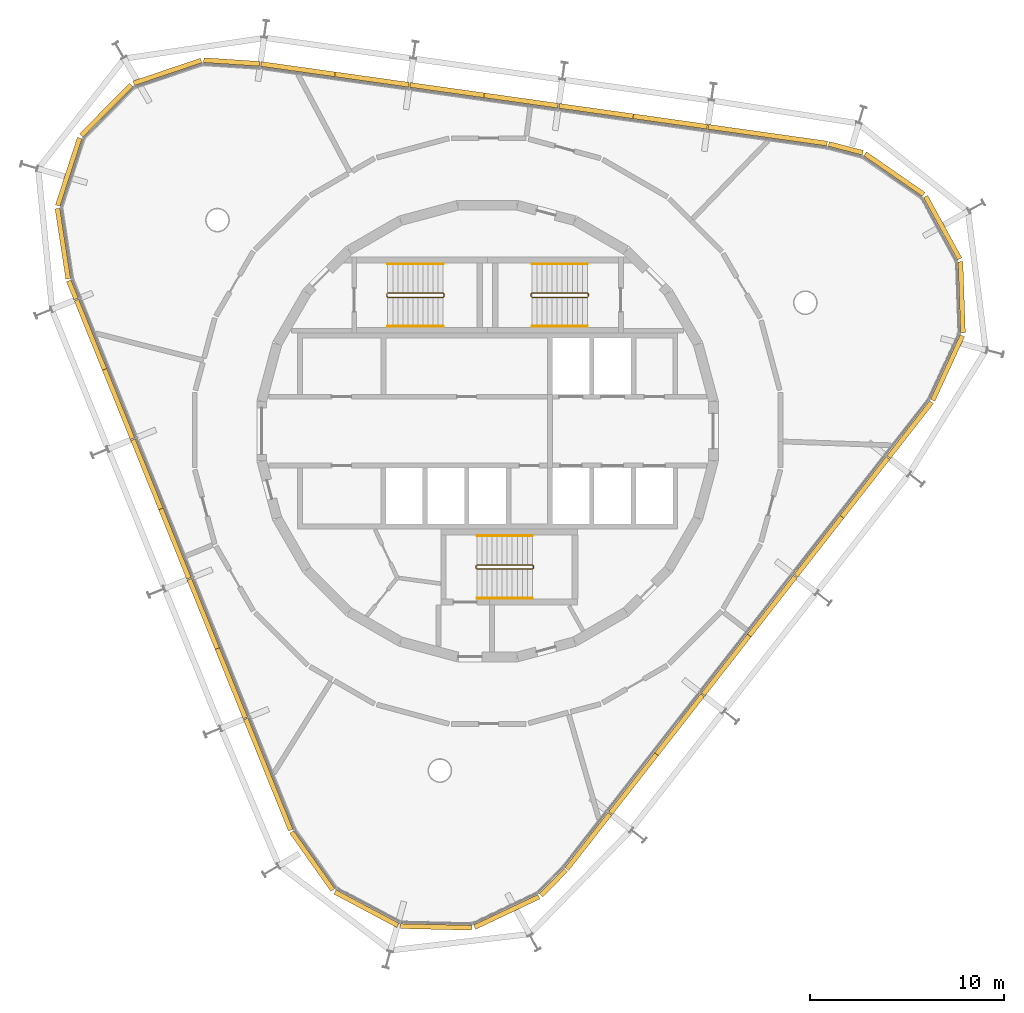
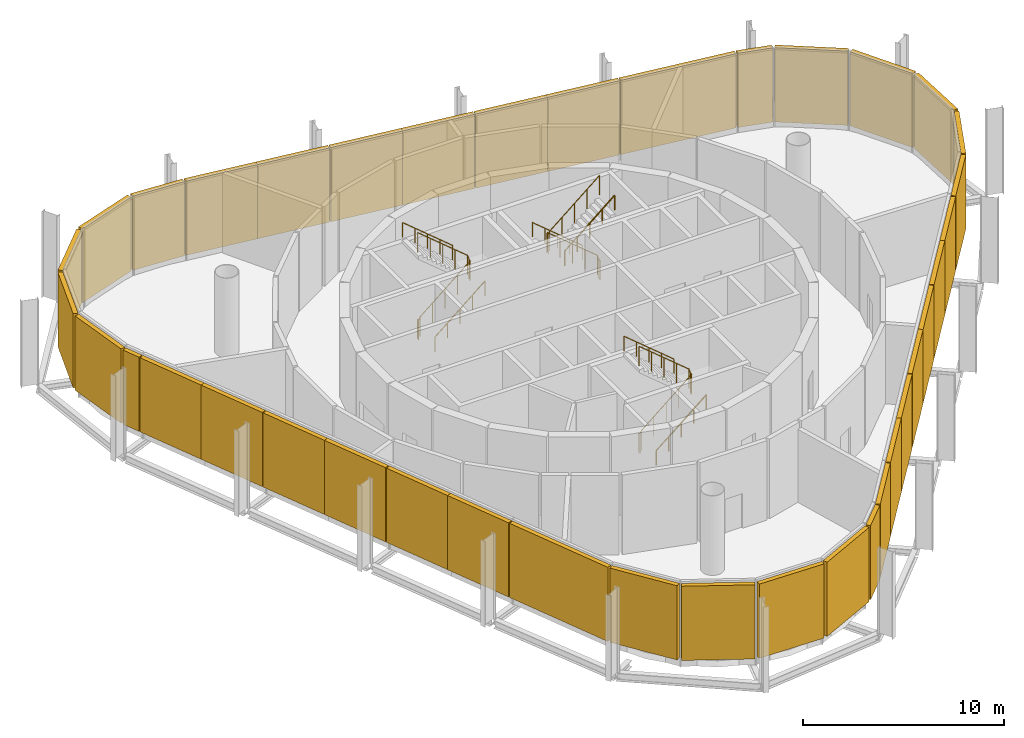
# One storey, part 12 of 12: 38 shading devices, 9 railings.
"""IFC4 building model written with IfcOpenShell, lengths in metres."""

from ifc_helpers import new_model, si_unit, direction, frame, origin, origin_2d, place, context, subcontext, project, spatial, rectangle, circle, extrude, material, type_object, element, save


model = new_model("IFC4")

# Units and contexts
model_context = context("Model", 3, precision=1e-05, world=origin(), true_north=direction((0.0, 1.0)))
body_context = subcontext(model_context, "Body", "Model", "MODEL_VIEW")
ifc_project = project(units=[si_unit("LENGTHUNIT", "METRE"), si_unit("AREAUNIT", "SQUARE_METRE"), si_unit("VOLUMEUNIT", "CUBIC_METRE"), si_unit("PLANEANGLEUNIT", "RADIAN"), si_unit("MASSUNIT", "GRAM", prefix="KILO")], contexts=[model_context])

# Site, building, storey
site_placement = place(None, origin())
site = spatial("IfcSite", under=ifc_project, at=site_placement, CompositionType="ELEMENT")
building_placement = place(site_placement, origin())
building = spatial("IfcBuilding", under=site, at=building_placement, Name="Spindle Arch Residences", CompositionType="ELEMENT")
storey_placement = place(building_placement, frame((0.0, 0.0, 361.0)))
storey = spatial("IfcBuildingStorey", under=building, at=storey_placement, Name="L93", CompositionType="ELEMENT", Elevation=361.0)

# Shading devices
ifc_material_1 = material(Name="Bronze anodised aluminium louvre blades", Category="aluminium")
shading_device_type = type_object("IfcShadingDeviceType", Name="Bronze louvre bank 250", PredefinedType="USERDEFINED", material=ifc_material_1)
shading_device_1_placement = place(storey_placement, frame((21.79150390625, 0.078857421875, 0.199951171875), z_axis=(0.0, 0.0, 1.0), x_axis=(0.615661475326, 0.788010753607, 0.0)))
element("IfcShadingDevice", 1, at=shading_device_1_placement, inside=storey, type_object=shading_device_type, Name="Crown louvre L93 00", ObjectType="LOUVRE", PredefinedType="USERDEFINED", context=body_context, shape_type="SweptSolid", body=[
    extrude(rectangle(XDim=3.60009765625, YDim=0.25, at=origin_2d()), origin(), (0.0, 0.0, 1.0), 4.5),
])
for number, where, z_axis, x_axis, name in (
    (2, (23.720703125, 3.255126953125, 0.199951171875), (0.0, 0.0, 1.0), (0.417338452362, 0.908751129947, 0.0), "Crown louvre L93 01"),
    (3, (24.451904296875, 6.9033203125, 0.199951171875), (0.0, 0.0, 1.0), (-0.034899497139, 0.999390827004, 0.0), "Crown louvre L93 02"),
    (4, (23.468017578125, 10.49169921875, 0.199951171875), (0.0, 0.0, 1.0), (-0.479713114021, 0.877425397533, 0.0), "Crown louvre L93 03"),
    (5, (20.978271484375, 13.2568359375, 0.199951171875), (0.0, 0.0, 1.0), (-0.822475094841, 0.568801123739, 0.0), "Crown louvre L93 04"),
):
    element("IfcShadingDevice", number, at=place(storey_placement, frame(where, z_axis=z_axis, x_axis=x_axis)), inside=storey, type_object=shading_device_type, Name=name, ObjectType="LOUVRE", PredefinedType="USERDEFINED", context=body_context, shape_type="SweptSolid", body=[
        extrude(rectangle(XDim=3.666748046875, YDim=0.25, at=origin_2d()), origin(), (0.0, 0.0, 1.0), 4.5),
    ])
shading_device_2_placement = place(storey_placement, frame((18.4736328125, 14.583984375, 0.199951171875), z_axis=(0.0, 0.0, 1.0), x_axis=(-0.967415218326, 0.25319517245, 0.0)))
element("IfcShadingDevice", 6, at=shading_device_2_placement, inside=storey, type_object=shading_device_type, Name="Crown louvre L93 05", ObjectType="LOUVRE", PredefinedType="USERDEFINED", context=body_context, shape_type="SweptSolid", body=[
    extrude(rectangle(XDim=1.816162109375, YDim=0.25, at=origin_2d()), origin(), (0.0, 0.0, 1.0), 4.5),
])
shading_device_3_placement = place(storey_placement, frame((14.44873046875, 15.260986328125, 0.199951171875), z_axis=(0.0, 0.0, 1.0), x_axis=(-0.990268068742, 0.13917310096, 0.0)))
element("IfcShadingDevice", 7, at=shading_device_3_placement, inside=storey, type_object=shading_device_type, Name="Crown louvre L93 06", ObjectType="LOUVRE", PredefinedType="USERDEFINED", context=body_context, shape_type="SweptSolid", body=[
    extrude(rectangle(XDim=6.188720703125, YDim=0.25, at=origin_2d()), origin(), (0.0, 0.0, 1.0), 4.5),
])
for number, where, z_axis, x_axis, name in (
    (8, (9.41748046875, 15.96826171875, 0.199951171875), (0.0, 0.0, 1.0), (-0.990268068742, 0.13917310096, 0.0), "Crown louvre L93 05A"),
    (9, (5.60205078125, 16.50439453125, 0.199951171875), (0.0, 0.0, 1.0), (-0.990268068742, 0.13917310096, 0.0), "Crown louvre L93 05B"),
    (10, (1.7275390625, 17.048828125, 0.199951171875), (0.0, 0.0, 1.0), (-0.990268068742, 0.13917310096, 0.0), "Crown louvre L93 06A"),
    (11, (-2.087890625, 17.585205078125, 0.199951171875), (0.0, 0.0, 1.0), (-0.990268068742, 0.13917310096, 0.0), "Crown louvre L93 06B"),
    (12, (-5.962646484375, 18.129638671875, 0.199951171875), (0.0, 0.0, 1.0), (-0.990268068742, 0.13917310096, 0.0), "Crown louvre L93 07A"),
    (13, (-9.77783203125, 18.666015625, 0.199951171875), (0.0, 0.0, 1.0), (-0.990268068742, 0.13917310096, 0.0), "Crown louvre L93 07B"),
):
    element("IfcShadingDevice", number, at=place(storey_placement, frame(where, z_axis=z_axis, x_axis=x_axis)), inside=storey, type_object=shading_device_type, Name=name, ObjectType="LOUVRE", PredefinedType="USERDEFINED", context=body_context, shape_type="SweptSolid", body=[
        extrude(rectangle(XDim=3.852783203125, YDim=0.25, at=origin_2d()), origin(), (0.0, 0.0, 1.0), 4.5),
    ])
shading_device_4_placement = place(storey_placement, frame((-13.19873046875, 19.0361328125, 0.199951171875), z_axis=(0.0, 0.0, 1.0), x_axis=(-0.99785193122, 0.065509719587, 0.0)))
element("IfcShadingDevice", 14, at=shading_device_4_placement, inside=storey, type_object=shading_device_type, Name="Crown louvre L93 00", ObjectType="LOUVRE", PredefinedType="USERDEFINED", context=body_context, shape_type="SweptSolid", body=[
    extrude(rectangle(XDim=2.883056640625, YDim=0.25, at=origin_2d()), origin(), (0.0, 0.0, 1.0), 4.5),
])
for number, where, z_axis, x_axis, name in (
    (15, (-16.511474609375, 18.52587890625, 0.199951171875), (0.0, 0.0, 1.0), (-0.947396640541, -0.320061877599, 0.0), "Crown louvre L93 01"),
    (16, (-19.6669921875, 16.553955078125, 0.199951171875), (0.0, 0.0, 1.0), (-0.702981055369, -0.711208574043, 0.0), "Crown louvre L93 02"),
    (17, (-21.601806640625, 13.375732421875, 0.199951171875), (0.0, 0.0, 1.0), (-0.309016990673, -0.951056517498, 0.0), "Crown louvre L93 03"),
    (18, (-21.904541015625, 9.667236328125, 0.199951171875), (0.0, 0.0, 1.0), (0.150685718984, -0.988581718471, 0.0), "Crown louvre L93 04"),
):
    element("IfcShadingDevice", number, at=place(storey_placement, frame(where, z_axis=z_axis, x_axis=x_axis)), inside=storey, type_object=shading_device_type, Name=name, ObjectType="LOUVRE", PredefinedType="USERDEFINED", context=body_context, shape_type="SweptSolid", body=[
        extrude(rectangle(XDim=3.666748046875, YDim=0.25, at=origin_2d()), origin(), (0.0, 0.0, 1.0), 4.5),
    ])
shading_device_5_placement = place(storey_placement, frame((-21.41064453125, 7.282470703125, 0.199951171875), z_axis=(0.0, 0.0, 1.0), x_axis=(0.374606593416, -0.927183854567, 0.0)))
element("IfcShadingDevice", 19, at=shading_device_5_placement, inside=storey, type_object=shading_device_type, Name="Crown louvre L93 05", ObjectType="LOUVRE", PredefinedType="USERDEFINED", context=body_context, shape_type="SweptSolid", body=[
    extrude(rectangle(XDim=1.01171875, YDim=0.25, at=origin_2d()), origin(), (0.0, 0.0, 1.0), 4.5),
])
for number, where, z_axis, x_axis, name in (
    (20, (-20.476806640625, 4.9716796875, 0.199951171875), (0.0, 0.0, 1.0), (0.374606593416, -0.927183854567, 0.0), "Crown louvre L93 11A"),
    (21, (-19.03369140625, 1.3994140625, 0.199951171875), (0.0, 0.0, 1.0), (0.374606593416, -0.927183854567, 0.0), "Crown louvre L93 11B"),
    (22, (-17.56787109375, -2.228271484375, 0.199951171875), (0.0, 0.0, 1.0), (0.374606593416, -0.927183854567, 0.0), "Crown louvre L93 12A"),
    (23, (-16.12451171875, -5.800537109375, 0.199951171875), (0.0, 0.0, 1.0), (0.374606593416, -0.927183854567, 0.0), "Crown louvre L93 12B"),
    (24, (-14.658935546875, -9.428466796875, 0.199951171875), (0.0, 0.0, 1.0), (0.374606593416, -0.927183854567, 0.0), "Crown louvre L93 13A"),
    (25, (-13.215576171875, -13.000732421875, 0.199951171875), (0.0, 0.0, 1.0), (0.374606593416, -0.927183854567, 0.0), "Crown louvre L93 13B"),
):
    element("IfcShadingDevice", number, at=place(storey_placement, frame(where, z_axis=z_axis, x_axis=x_axis)), inside=storey, type_object=shading_device_type, Name=name, ObjectType="LOUVRE", PredefinedType="USERDEFINED", context=body_context, shape_type="SweptSolid", body=[
        extrude(rectangle(XDim=3.852783203125, YDim=0.25, at=origin_2d()), origin(), (0.0, 0.0, 1.0), 4.5),
    ])
shading_device_6_placement = place(storey_placement, frame((-11.312255859375, -17.711669921875, 0.199951171875), z_axis=(0.0, 0.0, 1.0), x_axis=(0.374606593416, -0.927183854567, 0.0)))
element("IfcShadingDevice", 26, at=shading_device_6_placement, inside=storey, type_object=shading_device_type, Name="Crown louvre L93 00", ObjectType="LOUVRE", PredefinedType="USERDEFINED", context=body_context, shape_type="SweptSolid", body=[
    extrude(rectangle(XDim=6.188720703125, YDim=0.25, at=origin_2d()), origin(), (0.0, 0.0, 1.0), 4.5),
])
for number, where, z_axis, x_axis, name in (
    (27, (-9.041259765625, -22.17041015625, 0.199951171875), (0.0, 0.0, 1.0), (0.578332338584, -0.815801266332, 0.0), "Crown louvre L93 01"),
    (28, (-6.24755859375, -24.627685546875, 0.199951171875), (0.0, 0.0, 1.0), (0.882947592408, -0.469471563633, 0.0), "Crown louvre L93 02"),
    (29, (-2.64794921875, -25.56982421875, 0.199951171875), (0.0, 0.0, 1.0), (0.999729241109, -0.023268959422, 0.0), "Crown louvre L93 03"),
    (30, (0.99169921875, -24.796142578125, 0.199951171875), (0.0, 0.0, 1.0), (0.903833768547, 0.427883767902, 0.0), "Crown louvre L93 04"),
):
    element("IfcShadingDevice", number, at=place(storey_placement, frame(where, z_axis=z_axis, x_axis=x_axis)), inside=storey, type_object=shading_device_type, Name=name, ObjectType="LOUVRE", PredefinedType="USERDEFINED", context=body_context, shape_type="SweptSolid", body=[
        extrude(rectangle(XDim=3.666748046875, YDim=0.25, at=origin_2d()), origin(), (0.0, 0.0, 1.0), 4.5),
    ])
shading_device_7_placement = place(storey_placement, frame((3.393310546875, -23.29052734375, 0.199951171875), z_axis=(0.0, 0.0, 1.0), x_axis=(0.702981053644, 0.711208575748, 0.0)))
element("IfcShadingDevice", 31, at=shading_device_7_placement, inside=storey, type_object=shading_device_type, Name="Crown louvre L93 05", ObjectType="LOUVRE", PredefinedType="USERDEFINED", context=body_context, shape_type="SweptSolid", body=[
    extrude(rectangle(XDim=1.816162109375, YDim=0.25, at=origin_2d()), origin(), (0.0, 0.0, 1.0), 4.5),
])
shading_device_8_placement = place(storey_placement, frame((5.1953125, -21.163330078125, 0.199951171875), z_axis=(0.0, 0.0, 1.0), x_axis=(0.615661475326, 0.788010753607, 0.0)))
element("IfcShadingDevice", 32, at=shading_device_8_placement, inside=storey, type_object=shading_device_type, Name="Crown louvre L93 06", ObjectType="LOUVRE", PredefinedType="USERDEFINED", context=body_context, shape_type="SweptSolid", body=[
    extrude(rectangle(XDim=3.60009765625, YDim=0.25, at=origin_2d()), origin(), (0.0, 0.0, 1.0), 4.5),
])
for number, where, z_axis, x_axis, name in (
    (33, (7.5263671875, -18.1796875, 0.199951171875), (0.0, 0.0, 1.0), (0.615661475326, 0.788010753607, 0.0), "Crown louvre L93 18A"),
    (34, (9.8984375, -15.1435546875, 0.199951171875), (0.0, 0.0, 1.0), (0.615661475326, 0.788010753607, 0.0), "Crown louvre L93 18B"),
    (35, (12.307373046875, -12.060302734375, 0.199951171875), (0.0, 0.0, 1.0), (0.615661475326, 0.788010753607, 0.0), "Crown louvre L93 19A"),
    (36, (14.679443359375, -9.024169921875, 0.199951171875), (0.0, 0.0, 1.0), (0.615661475326, 0.788010753607, 0.0), "Crown louvre L93 19B"),
    (37, (17.08837890625, -5.94091796875, 0.199951171875), (0.0, 0.0, 1.0), (0.615661475326, 0.788010753607, 0.0), "Crown louvre L93 00A"),
    (38, (19.46044921875, -2.90478515625, 0.199951171875), (0.0, 0.0, 1.0), (0.615661475326, 0.788010753607, 0.0), "Crown louvre L93 00B"),
):
    element("IfcShadingDevice", number, at=place(storey_placement, frame(where, z_axis=z_axis, x_axis=x_axis)), inside=storey, type_object=shading_device_type, Name=name, ObjectType="LOUVRE", PredefinedType="USERDEFINED", context=body_context, shape_type="SweptSolid", body=[
        extrude(rectangle(XDim=3.852783203125, YDim=0.25, at=origin_2d()), origin(), (0.0, 0.0, 1.0), 4.5),
    ])

# Railings
ifc_material_2 = material(Name="Steel, painted", Category="steel")
railing_type_1 = type_object("IfcRailingType", Name="Stair guard 1100", PredefinedType="GUARDRAIL", material=ifc_material_2)
railing_1_placement = place(storey_placement, frame((5.14990234375, 6.89990234375, 5.199951171875)))
element("IfcRailing", 39, at=railing_1_placement, inside=storey, type_object=railing_type_1, Name="L93 ST1 stair guard 1", PredefinedType="GUARDRAIL", context=body_context, shape_type="SweptSolid", body=[
    extrude(circle(Radius=0.02392578125, at=origin_2d()), frame((0.0, 0.0, 1.17578125), z_axis=(-0.76821052858, 0.0, -0.640197300665), x_axis=(0.0, -1.0, 0.0)), (0.0, 0.0, 1.0), 3.72265625),
    extrude(circle(Radius=0.02392578125, at=origin_2d()), frame((-2.85986328125, 0.0, -1.20751953125), z_axis=(-0.219679693006, 0.219679693006, -0.950516525349), x_axis=(-0.707106781187, -0.707106781187, 0.0)), (0.0, 0.0, 1.0), 0.227783203125),
    extrude(circle(Radius=0.02392578125, at=origin_2d()), frame((-2.909912109375, 0.050048828125, -1.423828125), z_axis=(0.0, 1.0, 0.0), x_axis=(-1.0, 0.0, 0.0)), (0.0, 0.0, 1.0), 0.1201171875),
    extrude(circle(Radius=0.02392578125, at=origin_2d()), frame((-2.909912109375, 0.170166015625, -1.423828125), z_axis=(0.707106781187, 0.707106781187, 0.0), x_axis=(-0.707106781187, 0.707106781187, 0.0)), (0.0, 0.0, 1.0), 0.07080078125),
    extrude(circle(Radius=0.02392578125, at=origin_2d()), frame((-2.85986328125, 0.22021484375, -1.423828125), z_axis=(0.768178276032, 0.0, -0.640236000419), x_axis=(0.0, 1.0, 0.0)), (0.0, 0.0, 1.0), 3.722900390625),
    extrude(circle(Radius=0.02392578125, at=origin_2d()), frame((0.0, 0.22021484375, -3.8076171875), z_axis=(0.219679693006, -0.219679693006, -0.950516525349), x_axis=(0.707106781187, 0.707106781187, 0.0)), (0.0, 0.0, 1.0), 0.227783203125),
    extrude(circle(Radius=0.02392578125, at=origin_2d()), frame((0.050048828125, 0.170166015625, -4.02392578125), z_axis=(0.0, -1.0, 0.0), x_axis=(1.0, 0.0, 0.0)), (0.0, 0.0, 1.0), 0.1201171875),
    extrude(circle(Radius=0.02099609375, at=origin_2d()), origin(), (0.0, 0.0, 1.0), 1.15185546875),
    extrude(circle(Radius=0.02099609375, at=origin_2d()), frame((-0.71484375, 0.0, -0.595703125)), (0.0, 0.0, 1.0), 1.15185546875),
    extrude(circle(Radius=0.02099609375, at=origin_2d()), frame((-1.429931640625, 0.0, -1.191650390625)), (0.0, 0.0, 1.0), 1.15185546875),
    extrude(circle(Radius=0.02099609375, at=origin_2d()), frame((-2.14501953125, 0.0, -1.78759765625)), (0.0, 0.0, 1.0), 1.15185546875),
    extrude(circle(Radius=0.02099609375, at=origin_2d()), frame((-2.85986328125, 0.0, -2.38330078125)), (0.0, 0.0, 1.0), 1.15185546875),
    extrude(circle(Radius=0.02099609375, at=origin_2d()), frame((-2.909912109375, 0.050048828125, -2.599853515625)), (0.0, 0.0, 1.0), 1.15185546875),
    extrude(circle(Radius=0.02099609375, at=origin_2d()), frame((-2.909912109375, 0.170166015625, -2.599853515625)), (0.0, 0.0, 1.0), 1.15185546875),
    extrude(circle(Radius=0.02099609375, at=origin_2d()), frame((-2.85986328125, 0.22021484375, -2.599853515625)), (0.0, 0.0, 1.0), 1.15185546875),
    extrude(circle(Radius=0.02099609375, at=origin_2d()), frame((-2.14501953125, 0.22021484375, -3.19580078125)), (0.0, 0.0, 1.0), 1.15185546875),
    extrude(circle(Radius=0.02099609375, at=origin_2d()), frame((-1.429931640625, 0.22021484375, -3.79150390625)), (0.0, 0.0, 1.0), 1.15185546875),
    extrude(circle(Radius=0.02099609375, at=origin_2d()), frame((-0.71484375, 0.22021484375, -4.387451171875)), (0.0, 0.0, 1.0), 1.15185546875),
    extrude(circle(Radius=0.02099609375, at=origin_2d()), frame((0.0, 0.22021484375, -4.9833984375)), (0.0, 0.0, 1.0), 1.15185546875),
    extrude(circle(Radius=0.02099609375, at=origin_2d()), frame((0.050048828125, 0.170166015625, -5.199951171875)), (0.0, 0.0, 1.0), 1.15185546875),
    extrude(circle(Radius=0.02099609375, at=origin_2d()), frame((0.050048828125, 0.050048828125, -5.199951171875)), (0.0, 0.0, 1.0), 1.15185546875),
])
railing_2_placement = place(storey_placement, frame((-5.14990234375, 7.1201171875, 5.199951171875)))
element("IfcRailing", 40, at=railing_2_placement, inside=storey, type_object=railing_type_1, Name="L93 ST2 stair guard 1", PredefinedType="GUARDRAIL", context=body_context, shape_type="SweptSolid", body=[
    extrude(circle(Radius=0.02392578125, at=origin_2d()), frame((0.0, 0.0, 1.17578125), z_axis=(0.76821052858, 0.0, -0.640197300665), x_axis=(0.0, 1.0, 0.0)), (0.0, 0.0, 1.0), 3.72265625),
    extrude(circle(Radius=0.02392578125, at=origin_2d()), frame((2.85986328125, 0.0, -1.20751953125), z_axis=(0.219679693006, -0.219679693006, -0.950516525349), x_axis=(0.707106781187, 0.707106781187, 0.0)), (0.0, 0.0, 1.0), 0.227783203125),
    extrude(circle(Radius=0.02392578125, at=origin_2d()), frame((2.909912109375, -0.050048828125, -1.423828125), z_axis=(0.0, -1.0, 0.0), x_axis=(1.0, 0.0, 0.0)), (0.0, 0.0, 1.0), 0.1201171875),
    extrude(circle(Radius=0.02392578125, at=origin_2d()), frame((2.909912109375, -0.170166015625, -1.423828125), z_axis=(-0.707106781187, -0.707106781187, 0.0), x_axis=(0.707106781187, -0.707106781187, 0.0)), (0.0, 0.0, 1.0), 0.07080078125),
    extrude(circle(Radius=0.02392578125, at=origin_2d()), frame((2.85986328125, -0.22021484375, -1.423828125), z_axis=(-0.768178276032, 0.0, -0.640236000419), x_axis=(0.0, -1.0, 0.0)), (0.0, 0.0, 1.0), 3.722900390625),
    extrude(circle(Radius=0.02392578125, at=origin_2d()), frame((0.0, -0.22021484375, -3.8076171875), z_axis=(-0.219679693006, 0.219679693006, -0.950516525349), x_axis=(-0.707106781187, -0.707106781187, 0.0)), (0.0, 0.0, 1.0), 0.227783203125),
    extrude(circle(Radius=0.02392578125, at=origin_2d()), frame((-0.050048828125, -0.170166015625, -4.02392578125), z_axis=(0.0, 1.0, 0.0), x_axis=(-1.0, 0.0, 0.0)), (0.0, 0.0, 1.0), 0.1201171875),
    extrude(circle(Radius=0.02099609375, at=origin_2d()), origin(), (0.0, 0.0, 1.0), 1.15185546875),
    extrude(circle(Radius=0.02099609375, at=origin_2d()), frame((0.71484375, 0.0, -0.595703125)), (0.0, 0.0, 1.0), 1.15185546875),
    extrude(circle(Radius=0.02099609375, at=origin_2d()), frame((1.429931640625, 0.0, -1.191650390625)), (0.0, 0.0, 1.0), 1.15185546875),
    extrude(circle(Radius=0.02099609375, at=origin_2d()), frame((2.14501953125, 0.0, -1.78759765625)), (0.0, 0.0, 1.0), 1.15185546875),
    extrude(circle(Radius=0.02099609375, at=origin_2d()), frame((2.85986328125, 0.0, -2.38330078125)), (0.0, 0.0, 1.0), 1.15185546875),
    extrude(circle(Radius=0.02099609375, at=origin_2d()), frame((2.909912109375, -0.050048828125, -2.599853515625)), (0.0, 0.0, 1.0), 1.15185546875),
    extrude(circle(Radius=0.02099609375, at=origin_2d()), frame((2.909912109375, -0.170166015625, -2.599853515625)), (0.0, 0.0, 1.0), 1.15185546875),
    extrude(circle(Radius=0.02099609375, at=origin_2d()), frame((2.85986328125, -0.22021484375, -2.599853515625)), (0.0, 0.0, 1.0), 1.15185546875),
    extrude(circle(Radius=0.02099609375, at=origin_2d()), frame((2.14501953125, -0.22021484375, -3.19580078125)), (0.0, 0.0, 1.0), 1.15185546875),
    extrude(circle(Radius=0.02099609375, at=origin_2d()), frame((1.429931640625, -0.22021484375, -3.79150390625)), (0.0, 0.0, 1.0), 1.15185546875),
    extrude(circle(Radius=0.02099609375, at=origin_2d()), frame((0.71484375, -0.22021484375, -4.387451171875)), (0.0, 0.0, 1.0), 1.15185546875),
    extrude(circle(Radius=0.02099609375, at=origin_2d()), frame((0.0, -0.22021484375, -4.9833984375)), (0.0, 0.0, 1.0), 1.15185546875),
    extrude(circle(Radius=0.02099609375, at=origin_2d()), frame((-0.050048828125, -0.170166015625, -5.199951171875)), (0.0, 0.0, 1.0), 1.15185546875),
    extrude(circle(Radius=0.02099609375, at=origin_2d()), frame((-0.050048828125, -0.050048828125, -5.199951171875)), (0.0, 0.0, 1.0), 1.15185546875),
])
railing_3_placement = place(storey_placement, frame((-0.550048828125, -6.89990234375, 5.199951171875)))
element("IfcRailing", 41, at=railing_3_placement, inside=storey, type_object=railing_type_1, Name="L93 ST3 stair guard 1", PredefinedType="GUARDRAIL", context=body_context, shape_type="SweptSolid", body=[
    extrude(circle(Radius=0.02392578125, at=origin_2d()), frame((0.0, 0.0, 1.17578125), z_axis=(0.768237404905, 0.0, -0.640165048799), x_axis=(0.0, 1.0, 0.0)), (0.0, 0.0, 1.0), 3.722900390625),
    extrude(circle(Radius=0.02392578125, at=origin_2d()), frame((2.860107421875, 0.0, -1.20751953125), z_axis=(0.219679693006, -0.219679693006, -0.950516525349), x_axis=(0.707106781187, 0.707106781187, 0.0)), (0.0, 0.0, 1.0), 0.227783203125),
    extrude(circle(Radius=0.02392578125, at=origin_2d()), frame((2.91015625, -0.050048828125, -1.423828125), z_axis=(0.0, -1.0, 0.0), x_axis=(1.0, 0.0, 0.0)), (0.0, 0.0, 1.0), 0.1201171875),
    extrude(circle(Radius=0.02392578125, at=origin_2d()), frame((2.91015625, -0.170166015625, -1.423828125), z_axis=(-0.707106781187, -0.707106781187, 0.0), x_axis=(0.707106781187, -0.707106781187, 0.0)), (0.0, 0.0, 1.0), 0.07080078125),
    extrude(circle(Radius=0.02392578125, at=origin_2d()), frame((2.860107421875, -0.22021484375, -1.423828125), z_axis=(-0.768205154479, 0.0, -0.640203749311), x_axis=(0.0, -1.0, 0.0)), (0.0, 0.0, 1.0), 3.72314453125),
    extrude(circle(Radius=0.02392578125, at=origin_2d()), frame((0.0, -0.22021484375, -3.8076171875), z_axis=(-0.219679693006, 0.219679693006, -0.950516525349), x_axis=(-0.707106781187, -0.707106781187, 0.0)), (0.0, 0.0, 1.0), 0.227783203125),
    extrude(circle(Radius=0.02392578125, at=origin_2d()), frame((-0.050048828125, -0.170166015625, -4.02392578125), z_axis=(0.0, 1.0, 0.0), x_axis=(-1.0, 0.0, 0.0)), (0.0, 0.0, 1.0), 0.1201171875),
    extrude(circle(Radius=0.02099609375, at=origin_2d()), origin(), (0.0, 0.0, 1.0), 1.15185546875),
    extrude(circle(Radius=0.02099609375, at=origin_2d()), frame((0.715087890625, 0.0, -0.595703125)), (0.0, 0.0, 1.0), 1.15185546875),
    extrude(circle(Radius=0.02099609375, at=origin_2d()), frame((1.43017578125, 0.0, -1.191650390625)), (0.0, 0.0, 1.0), 1.15185546875),
    extrude(circle(Radius=0.02099609375, at=origin_2d()), frame((2.14501953125, 0.0, -1.78759765625)), (0.0, 0.0, 1.0), 1.15185546875),
    extrude(circle(Radius=0.02099609375, at=origin_2d()), frame((2.860107421875, 0.0, -2.38330078125)), (0.0, 0.0, 1.0), 1.15185546875),
    extrude(circle(Radius=0.02099609375, at=origin_2d()), frame((2.91015625, -0.050048828125, -2.599853515625)), (0.0, 0.0, 1.0), 1.15185546875),
    extrude(circle(Radius=0.02099609375, at=origin_2d()), frame((2.91015625, -0.170166015625, -2.599853515625)), (0.0, 0.0, 1.0), 1.15185546875),
    extrude(circle(Radius=0.02099609375, at=origin_2d()), frame((2.860107421875, -0.22021484375, -2.599853515625)), (0.0, 0.0, 1.0), 1.15185546875),
    extrude(circle(Radius=0.02099609375, at=origin_2d()), frame((2.14501953125, -0.22021484375, -3.19580078125)), (0.0, 0.0, 1.0), 1.15185546875),
    extrude(circle(Radius=0.02099609375, at=origin_2d()), frame((1.43017578125, -0.22021484375, -3.79150390625)), (0.0, 0.0, 1.0), 1.15185546875),
    extrude(circle(Radius=0.02099609375, at=origin_2d()), frame((0.715087890625, -0.22021484375, -4.387451171875)), (0.0, 0.0, 1.0), 1.15185546875),
    extrude(circle(Radius=0.02099609375, at=origin_2d()), frame((0.0, -0.22021484375, -4.9833984375)), (0.0, 0.0, 1.0), 1.15185546875),
    extrude(circle(Radius=0.02099609375, at=origin_2d()), frame((-0.050048828125, -0.170166015625, -5.199951171875)), (0.0, 0.0, 1.0), 1.15185546875),
    extrude(circle(Radius=0.02099609375, at=origin_2d()), frame((-0.050048828125, -0.050048828125, -5.199951171875)), (0.0, 0.0, 1.0), 1.15185546875),
])
ifc_material_3 = material(Name="Steel, painted", Category="steel")
railing_type_2 = type_object("IfcRailingType", Name="Stair handrail 900", PredefinedType="HANDRAIL", material=ifc_material_3)
railing_4_placement = place(storey_placement, frame((5.14990234375, 8.6201171875, 0.216552734375)))
element("IfcRailing", 42, at=railing_4_placement, inside=storey, type_object=railing_type_2, Name="L93 ST1 stair handrail 1", PredefinedType="HANDRAIL", context=body_context, shape_type="SweptSolid", body=[
    extrude(circle(Radius=0.02392578125, at=origin_2d()), frame((0.0, 0.0, 0.8759765625), z_axis=(-0.768178276032, 0.0, 0.640236000419), x_axis=(0.0, -1.0, 0.0)), (0.0, 0.0, 1.0), 3.722900390625),
    extrude(circle(Radius=0.02099609375, at=origin_2d()), origin(), (0.0, 0.0, 1.0), 0.851806640625),
    extrude(circle(Radius=0.02099609375, at=origin_2d()), frame((-0.71484375, 0.0, 0.595947265625)), (0.0, 0.0, 1.0), 0.851806640625),
    extrude(circle(Radius=0.02099609375, at=origin_2d()), frame((-1.429931640625, 0.0, 1.19189453125)), (0.0, 0.0, 1.0), 0.851806640625),
    extrude(circle(Radius=0.02099609375, at=origin_2d()), frame((-2.14501953125, 0.0, 1.78759765625)), (0.0, 0.0, 1.0), 0.851806640625),
    extrude(circle(Radius=0.02099609375, at=origin_2d()), frame((-2.85986328125, 0.0, 2.383544921875)), (0.0, 0.0, 1.0), 0.851806640625),
])
railing_5_placement = place(storey_placement, frame((2.2900390625, 5.39990234375, 2.816650390625)))
element("IfcRailing", 43, at=railing_5_placement, inside=storey, type_object=railing_type_2, Name="L93 ST1 stair handrail 2", PredefinedType="HANDRAIL", context=body_context, shape_type="SweptSolid", body=[
    extrude(circle(Radius=0.02392578125, at=origin_2d()), frame((0.0, 0.0, 0.8759765625), z_axis=(0.76821052858, 0.0, 0.640197300665), x_axis=(0.0, 1.0, 0.0)), (0.0, 0.0, 1.0), 3.72265625),
    extrude(circle(Radius=0.02099609375, at=origin_2d()), origin(), (0.0, 0.0, 1.0), 0.851806640625),
    extrude(circle(Radius=0.02099609375, at=origin_2d()), frame((0.71484375, 0.0, 0.595703125)), (0.0, 0.0, 1.0), 0.851806640625),
    extrude(circle(Radius=0.02099609375, at=origin_2d()), frame((1.429931640625, 0.0, 1.191650390625)), (0.0, 0.0, 1.0), 0.851806640625),
    extrude(circle(Radius=0.02099609375, at=origin_2d()), frame((2.14501953125, 0.0, 1.78759765625)), (0.0, 0.0, 1.0), 0.851806640625),
    extrude(circle(Radius=0.02099609375, at=origin_2d()), frame((2.85986328125, 0.0, 2.38330078125)), (0.0, 0.0, 1.0), 0.851806640625),
])
railing_6_placement = place(storey_placement, frame((-5.14990234375, 5.39990234375, 0.216552734375)))
element("IfcRailing", 44, at=railing_6_placement, inside=storey, type_object=railing_type_2, Name="L93 ST2 stair handrail 1", PredefinedType="HANDRAIL", context=body_context, shape_type="SweptSolid", body=[
    extrude(circle(Radius=0.02392578125, at=origin_2d()), frame((0.0, 0.0, 0.8759765625), z_axis=(0.768178276032, 0.0, 0.640236000419), x_axis=(0.0, 1.0, 0.0)), (0.0, 0.0, 1.0), 3.722900390625),
    extrude(circle(Radius=0.02099609375, at=origin_2d()), origin(), (0.0, 0.0, 1.0), 0.851806640625),
    extrude(circle(Radius=0.02099609375, at=origin_2d()), frame((0.71484375, 0.0, 0.595947265625)), (0.0, 0.0, 1.0), 0.851806640625),
    extrude(circle(Radius=0.02099609375, at=origin_2d()), frame((1.429931640625, 0.0, 1.19189453125)), (0.0, 0.0, 1.0), 0.851806640625),
    extrude(circle(Radius=0.02099609375, at=origin_2d()), frame((2.14501953125, 0.0, 1.78759765625)), (0.0, 0.0, 1.0), 0.851806640625),
    extrude(circle(Radius=0.02099609375, at=origin_2d()), frame((2.85986328125, 0.0, 2.383544921875)), (0.0, 0.0, 1.0), 0.851806640625),
])
railing_7_placement = place(storey_placement, frame((-2.2900390625, 8.6201171875, 2.816650390625)))
element("IfcRailing", 45, at=railing_7_placement, inside=storey, type_object=railing_type_2, Name="L93 ST2 stair handrail 2", PredefinedType="HANDRAIL", context=body_context, shape_type="SweptSolid", body=[
    extrude(circle(Radius=0.02392578125, at=origin_2d()), frame((0.0, 0.0, 0.8759765625), z_axis=(-0.76821052858, 0.0, 0.640197300665), x_axis=(0.0, -1.0, 0.0)), (0.0, 0.0, 1.0), 3.72265625),
    extrude(circle(Radius=0.02099609375, at=origin_2d()), origin(), (0.0, 0.0, 1.0), 0.851806640625),
    extrude(circle(Radius=0.02099609375, at=origin_2d()), frame((-0.71484375, 0.0, 0.595703125)), (0.0, 0.0, 1.0), 0.851806640625),
    extrude(circle(Radius=0.02099609375, at=origin_2d()), frame((-1.429931640625, 0.0, 1.191650390625)), (0.0, 0.0, 1.0), 0.851806640625),
    extrude(circle(Radius=0.02099609375, at=origin_2d()), frame((-2.14501953125, 0.0, 1.78759765625)), (0.0, 0.0, 1.0), 0.851806640625),
    extrude(circle(Radius=0.02099609375, at=origin_2d()), frame((-2.85986328125, 0.0, 2.38330078125)), (0.0, 0.0, 1.0), 0.851806640625),
])
railing_8_placement = place(storey_placement, frame((-0.550048828125, -8.6201171875, 0.216552734375)))
element("IfcRailing", 46, at=railing_8_placement, inside=storey, type_object=railing_type_2, Name="L93 ST3 stair handrail 1", PredefinedType="HANDRAIL", context=body_context, shape_type="SweptSolid", body=[
    extrude(circle(Radius=0.02392578125, at=origin_2d()), frame((0.0, 0.0, 0.8759765625), z_axis=(0.768205154479, 0.0, 0.640203749311), x_axis=(0.0, 1.0, 0.0)), (0.0, 0.0, 1.0), 3.72314453125),
    extrude(circle(Radius=0.02099609375, at=origin_2d()), origin(), (0.0, 0.0, 1.0), 0.851806640625),
    extrude(circle(Radius=0.02099609375, at=origin_2d()), frame((0.715087890625, 0.0, 0.595947265625)), (0.0, 0.0, 1.0), 0.851806640625),
    extrude(circle(Radius=0.02099609375, at=origin_2d()), frame((1.43017578125, 0.0, 1.19189453125)), (0.0, 0.0, 1.0), 0.851806640625),
    extrude(circle(Radius=0.02099609375, at=origin_2d()), frame((2.14501953125, 0.0, 1.78759765625)), (0.0, 0.0, 1.0), 0.851806640625),
    extrude(circle(Radius=0.02099609375, at=origin_2d()), frame((2.860107421875, 0.0, 2.383544921875)), (0.0, 0.0, 1.0), 0.851806640625),
])
railing_9_placement = place(storey_placement, frame((2.31005859375, -5.39990234375, 2.816650390625)))
element("IfcRailing", 47, at=railing_9_placement, inside=storey, type_object=railing_type_2, Name="L93 ST3 stair handrail 2", PredefinedType="HANDRAIL", context=body_context, shape_type="SweptSolid", body=[
    extrude(circle(Radius=0.02392578125, at=origin_2d()), frame((0.0, 0.0, 0.8759765625), z_axis=(-0.768237404905, 0.0, 0.640165048799), x_axis=(0.0, -1.0, 0.0)), (0.0, 0.0, 1.0), 3.722900390625),
    extrude(circle(Radius=0.02099609375, at=origin_2d()), origin(), (0.0, 0.0, 1.0), 0.851806640625),
    extrude(circle(Radius=0.02099609375, at=origin_2d()), frame((-0.715087890625, 0.0, 0.595703125)), (0.0, 0.0, 1.0), 0.851806640625),
    extrude(circle(Radius=0.02099609375, at=origin_2d()), frame((-1.43017578125, 0.0, 1.191650390625)), (0.0, 0.0, 1.0), 0.851806640625),
    extrude(circle(Radius=0.02099609375, at=origin_2d()), frame((-2.14501953125, 0.0, 1.78759765625)), (0.0, 0.0, 1.0), 0.851806640625),
    extrude(circle(Radius=0.02099609375, at=origin_2d()), frame((-2.860107421875, 0.0, 2.38330078125)), (0.0, 0.0, 1.0), 0.851806640625),
])

save(model, "model.ifc")
